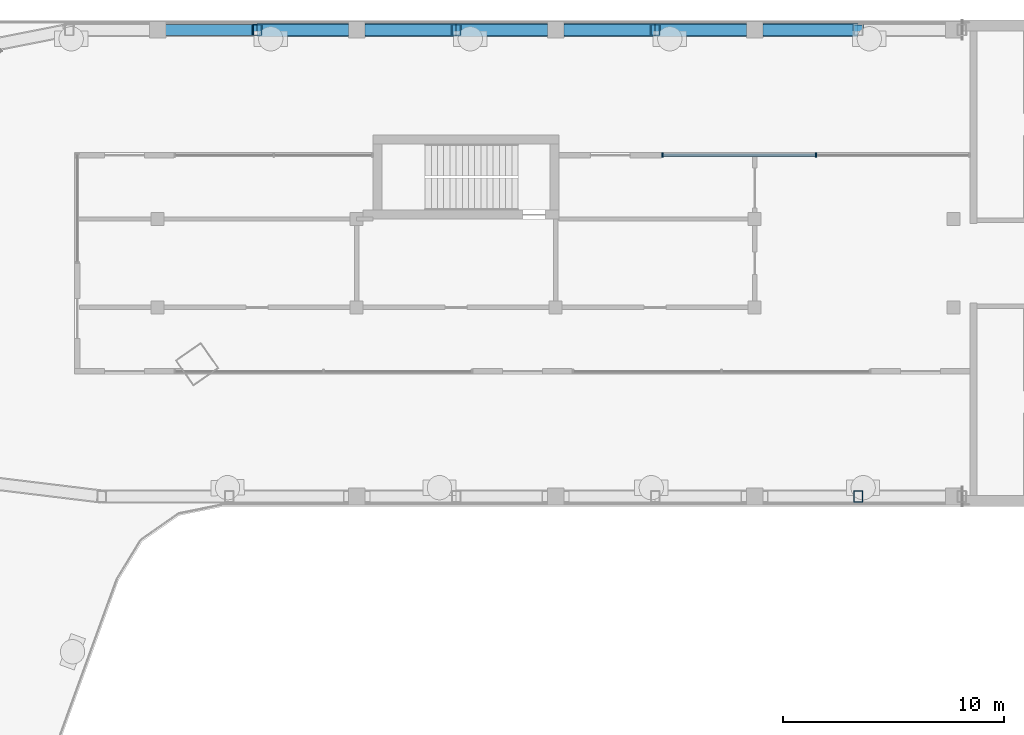
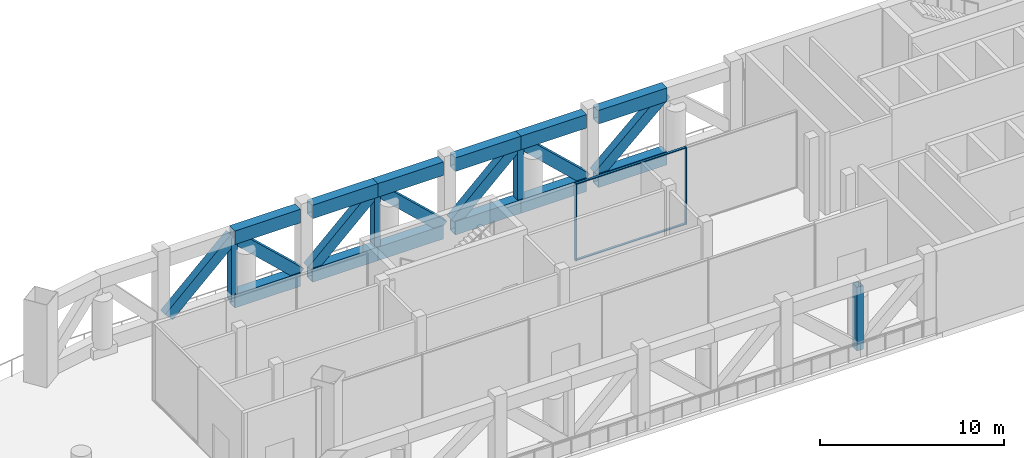
# One storey, part 4 of 14: 27 members, 1 element without a shape of its own.
"""IFC4 building model written with IfcOpenShell, lengths in metres."""

from ifc_helpers import new_model, si_unit, direction, frame, origin, origin_2d, place, context, subcontext, project, spatial, rectangle, hollow_rectangle, extrude, material, material_profile, profile_set, type_object, element, aggregate, save


model = new_model("IFC4")

# Units and contexts
model_context = context("Model", 3, precision=1e-05, world=origin(), true_north=direction((0.0, 1.0)))
body_context = subcontext(model_context, "Body", "Model", "MODEL_VIEW")
ifc_project = project(units=[si_unit("LENGTHUNIT", "METRE"), si_unit("AREAUNIT", "SQUARE_METRE"), si_unit("VOLUMEUNIT", "CUBIC_METRE"), si_unit("PLANEANGLEUNIT", "RADIAN"), si_unit("MASSUNIT", "GRAM", prefix="KILO")], contexts=[model_context])

# Site, building, storey
site_placement = place(None, origin())
site = spatial("IfcSite", under=ifc_project, at=site_placement, CompositionType="ELEMENT")
building_placement = place(site_placement, origin())
building = spatial("IfcBuilding", under=site, at=building_placement, Name="Skarvind Civic Tower", CompositionType="ELEMENT")
storey_placement = place(building_placement, frame((0.0, 0.0, 236.0)))
storey = spatial("IfcBuildingStorey", under=building, at=storey_placement, Name="L56", CompositionType="ELEMENT", Elevation=236.0)

# Curtain wall, members
ifc_material_1 = material(Name="Aluminium alloy 6063 and laminated glass", Category="aluminium")
curtain_wall_type = type_object("IfcCurtainWallType", Name="CW3 SEPARATOR INNER GLAZING", PredefinedType="NOTDEFINED", material=ifc_material_1)
curtain_wall_placement = place(storey_placement, origin())
curtain_wall = element("IfcCurtainWall", 1, at=curtain_wall_placement, inside=storey, type_object=curtain_wall_type, Name="SEPARATOR INNER GLAZING", PredefinedType="NOTDEFINED")
ifc_material_2 = material(Name="Aluminium alloy 6063", Category="aluminium")
ifc_material_profile_1 = material_profile(ifc_material_2, rectangle(XDim=0.199951171875, YDim=0.06005859375, at=origin_2d()), Name="AL 60x200")
ifc_profile_set_1 = profile_set([ifc_material_profile_1], Name="Aluminium alloy 6063")
member_type_1 = type_object("IfcMemberType", Name="CW3 MULLION 60x200", PredefinedType="MULLION", material=ifc_profile_set_1)
member_1_placement = place(storey_placement, frame((77.080078125, 132.89990234375, 0.0), z_axis=(0.0, 0.0, 1.0), x_axis=(0.0, 1.0, 0.0)))
member_1 = element("IfcMember", 2, at=member_1_placement, type_object=member_type_1, Name="CW3 mullion 1", PredefinedType="MULLION", context=body_context, shape_type="SweptSolid", body=[
    extrude(rectangle(XDim=0.199951171875, YDim=0.06005859375, at=origin_2d()), origin(), (0.0, 0.0, 1.0), 5.125),
])
member_2_placement = place(storey_placement, frame((84.02490234375, 132.89990234375, 0.0), z_axis=(0.0, 0.0, 1.0), x_axis=(0.0, 1.0, 0.0)))
member_2 = element("IfcMember", 3, at=member_2_placement, type_object=member_type_1, Name="CW3 mullion 2", PredefinedType="MULLION", context=body_context, shape_type="SweptSolid", body=[
    extrude(rectangle(XDim=0.199951171875, YDim=0.06005859375, at=origin_2d()), origin(), (0.0, 0.0, 1.0), 5.125),
])
ifc_material_profile_2 = material_profile(ifc_material_2, rectangle(XDim=0.139892578125, YDim=0.06005859375, at=origin_2d()), Name="AL 60x140")
ifc_profile_set_2 = profile_set([ifc_material_profile_2], Name="Aluminium alloy 6063")
member_type_2 = type_object("IfcMemberType", Name="CW3 TRANSOM 60x140", PredefinedType="USERDEFINED", material=ifc_profile_set_2)
member_3_placement = place(storey_placement, frame((77.110107421875, 132.89990234375, 0.030029296875), z_axis=(1.0, 0.0, 0.0), x_axis=(0.0, 1.0, 0.0)))
member_3 = element("IfcMember", 4, at=member_3_placement, type_object=member_type_2, Name="CW3 transom 1.1", ObjectType="TRANSOM", PredefinedType="USERDEFINED", context=body_context, shape_type="SweptSolid", body=[
    extrude(rectangle(XDim=0.139892578125, YDim=0.06005859375, at=origin_2d()), origin(), (0.0, 0.0, 1.0), 6.885009765625),
])
member_4_placement = place(storey_placement, frame((77.110107421875, 132.89990234375, 5.094970703125), z_axis=(1.0, 0.0, 0.0), x_axis=(0.0, 1.0, 0.0)))
member_4 = element("IfcMember", 5, at=member_4_placement, type_object=member_type_2, Name="CW3 transom 1.2", ObjectType="TRANSOM", PredefinedType="USERDEFINED", context=body_context, shape_type="SweptSolid", body=[
    extrude(rectangle(XDim=0.139892578125, YDim=0.06005859375, at=origin_2d()), origin(), (0.0, 0.0, 1.0), 6.885009765625),
])
aggregate(curtain_wall, [member_1, member_2, member_3, member_4])

# Members
ifc_material_3 = material(Name="Steel SM355", Category="steel")
ifc_material_profile_3 = material_profile(ifc_material_3, hollow_rectangle(XDim=0.60009765625, YDim=0.89990234375, WallThickness=0.031982421875, at=origin_2d()), Name="BOX-900x600x32")
ifc_profile_set_3 = profile_set([ifc_material_profile_3], Name="Steel SM355")
member_type_3 = type_object("IfcMemberType", Name="Truss chord BOX-900x600x32 SM355", PredefinedType="CHORD", material=ifc_profile_set_3)
for number, where, z_axis, x_axis, name in (
    (6, (58.75, 138.550048828125, 0.449951171875), (1.0, 0.0, 0.0), (0.0, 1.0, 0.0), "Outrigger truss L56 W1N chord"),
    (7, (58.75, 138.550048828125, 4.675048828125), (1.0, 0.0, 0.0), (0.0, 1.0, 0.0), "Outrigger truss L56 W1N chord"),
    (8, (63.625, 138.550048828125, 0.449951171875), (1.0, 0.0, 0.0), (0.0, 1.0, 0.0), "Outrigger truss L56 W1N chord"),
    (9, (63.625, 138.550048828125, 4.675048828125), (1.0, 0.0, 0.0), (0.0, 1.0, 0.0), "Outrigger truss L56 W1N chord"),
    (10, (67.75, 138.550048828125, 0.449951171875), (1.0, 0.0, 0.0), (0.0, 1.0, 0.0), "Outrigger truss L56 W1N chord"),
    (11, (67.75, 138.550048828125, 4.675048828125), (1.0, 0.0, 0.0), (0.0, 1.0, 0.0), "Outrigger truss L56 W1N chord"),
    (12, (72.625, 138.550048828125, 0.449951171875), (1.0, 0.0, 0.0), (0.0, 1.0, 0.0), "Outrigger truss L56 W1N chord"),
    (13, (72.625, 138.550048828125, 4.675048828125), (1.0, 0.0, 0.0), (0.0, 1.0, 0.0), "Outrigger truss L56 W1N chord"),
    (14, (76.75, 138.550048828125, 0.449951171875), (1.0, 0.0, 0.0), (0.0, 1.0, 0.0), "Outrigger truss L56 W1N chord"),
    (15, (76.75, 138.550048828125, 4.675048828125), (1.0, 0.0, 0.0), (0.0, 1.0, 0.0), "Outrigger truss L56 W1N chord"),
):
    element("IfcMember", number, at=place(storey_placement, frame(where, z_axis=z_axis, x_axis=x_axis)), inside=storey, type_object=member_type_3, Name=name, PredefinedType="CHORD", context=body_context, shape_type="SweptSolid", body=[
        extrude(hollow_rectangle(XDim=0.60009765625, YDim=0.89990234375, WallThickness=0.031982421875, at=origin_2d()), origin(), (0.0, 0.0, 1.0), 4.125),
    ])
for number, where, z_axis, x_axis, name in (
    (16, (81.625, 138.550048828125, 0.449951171875), (1.0, 0.0, 0.0), (0.0, 1.0, 0.0), "Outrigger truss L56 W1N chord"),
    (17, (81.625, 138.550048828125, 4.675048828125), (1.0, 0.0, 0.0), (0.0, 1.0, 0.0), "Outrigger truss L56 W1N chord"),
):
    element("IfcMember", number, at=place(storey_placement, frame(where, z_axis=z_axis, x_axis=x_axis)), inside=storey, type_object=member_type_3, Name=name, PredefinedType="CHORD", context=body_context, shape_type="SweptSolid", body=[
        extrude(hollow_rectangle(XDim=0.60009765625, YDim=0.89990234375, WallThickness=0.031982421875, at=origin_2d()), origin(), (0.0, 0.0, 1.0), 4.3125),
    ])
ifc_material_profile_4 = material_profile(ifc_material_3, hollow_rectangle(XDim=0.5, YDim=0.699951171875, WallThickness=0.02197265625, at=origin_2d()), Name="BOX-700x500x22")
ifc_profile_set_4 = profile_set([ifc_material_profile_4], Name="Steel SM355")
member_type_4 = type_object("IfcMemberType", Name="Truss diagonal BOX-700x500x22 SM355", PredefinedType="BRACE", material=ifc_profile_set_4)
for number, where, z_axis, x_axis, name in (
    (18, (54.625, 138.550048828125, 0.802001953125), (0.729020302301, 0.0, 0.684492073609), (0.0, 1.0, 0.0), "Outrigger truss L56 W1N diagonal"),
    (19, (58.75, 138.550048828125, 4.675048828125), (0.729020302301, 0.0, -0.684492073609), (0.0, 1.0, 0.0), "Outrigger truss L56 W1N diagonal"),
    (20, (63.625, 138.550048828125, 0.802001953125), (0.729020302301, 0.0, 0.684492073609), (0.0, 1.0, 0.0), "Outrigger truss L56 W1N diagonal"),
    (21, (67.75, 138.550048828125, 4.675048828125), (0.729020302301, 0.0, -0.684492073609), (0.0, 1.0, 0.0), "Outrigger truss L56 W1N diagonal"),
    (22, (72.625, 138.550048828125, 0.802001953125), (0.729020302301, 0.0, 0.684492073609), (0.0, 1.0, 0.0), "Outrigger truss L56 W1N diagonal"),
    (23, (76.75, 138.550048828125, 4.675048828125), (0.729020302301, 0.0, -0.684492073609), (0.0, 1.0, 0.0), "Outrigger truss L56 W1N diagonal"),
):
    element("IfcMember", number, at=place(storey_placement, frame(where, z_axis=z_axis, x_axis=x_axis)), inside=storey, type_object=member_type_4, Name=name, PredefinedType="BRACE", context=body_context, shape_type="SweptSolid", body=[
        extrude(hollow_rectangle(XDim=0.5, YDim=0.699951171875, WallThickness=0.02197265625, at=origin_2d()), origin(), (0.0, 0.0, 1.0), 5.658203125),
    ])
member_5_placement = place(storey_placement, frame((81.625, 138.550048828125, 0.7880859375), z_axis=(0.742804658539, 0.0, 0.669508207009), x_axis=(0.0, 1.0, 0.0)))
element("IfcMember", 24, at=member_5_placement, inside=storey, type_object=member_type_4, Name="Outrigger truss L56 W1N diagonal", PredefinedType="BRACE", context=body_context, shape_type="SweptSolid", body=[
    extrude(hollow_rectangle(XDim=0.5, YDim=0.699951171875, WallThickness=0.02197265625, at=origin_2d()), origin(), (0.0, 0.0, 1.0), 5.8056640625),
])
ifc_material_profile_5 = material_profile(ifc_material_3, hollow_rectangle(XDim=0.39990234375, YDim=0.5, WallThickness=0.02001953125, at=origin_2d()), Name="BOX-500x400x20")
ifc_profile_set_5 = profile_set([ifc_material_profile_5], Name="Steel SM355")
member_type_5 = type_object("IfcMemberType", Name="Truss post BOX-500x400x20 SM355", PredefinedType="POST", material=ifc_profile_set_5)
for number, where, z_axis, x_axis, name in (
    (25, (58.75, 138.550048828125, 0.449951171875), (0.0, 0.0, 1.0), (1.0, 0.0, 0.0), "Outrigger truss L56 W1N post"),
    (26, (67.75, 138.550048828125, 0.449951171875), (0.0, 0.0, 1.0), (1.0, 0.0, 0.0), "Outrigger truss L56 W1N post"),
    (27, (76.75, 138.550048828125, 0.449951171875), (0.0, 0.0, 1.0), (1.0, 0.0, 0.0), "Outrigger truss L56 W1N post"),
    (28, (85.9375, 117.449951171875, 0.449951171875), (0.0, 0.0, 1.0), (1.0, 0.0, 0.0), "Outrigger truss L56 W1S post"),
):
    element("IfcMember", number, at=place(storey_placement, frame(where, z_axis=z_axis, x_axis=x_axis)), inside=storey, type_object=member_type_5, Name=name, PredefinedType="POST", context=body_context, shape_type="SweptSolid", body=[
        extrude(hollow_rectangle(XDim=0.39990234375, YDim=0.5, WallThickness=0.02001953125, at=origin_2d()), origin(), (0.0, 0.0, 1.0), 4.22509765625),
    ])

save(model, "model.ifc")
